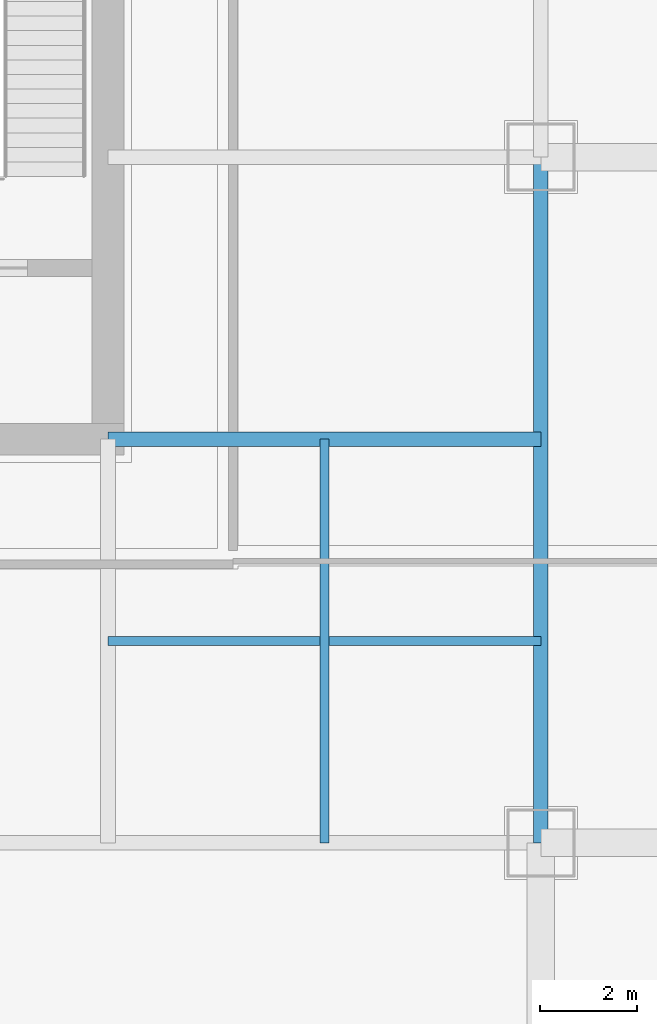
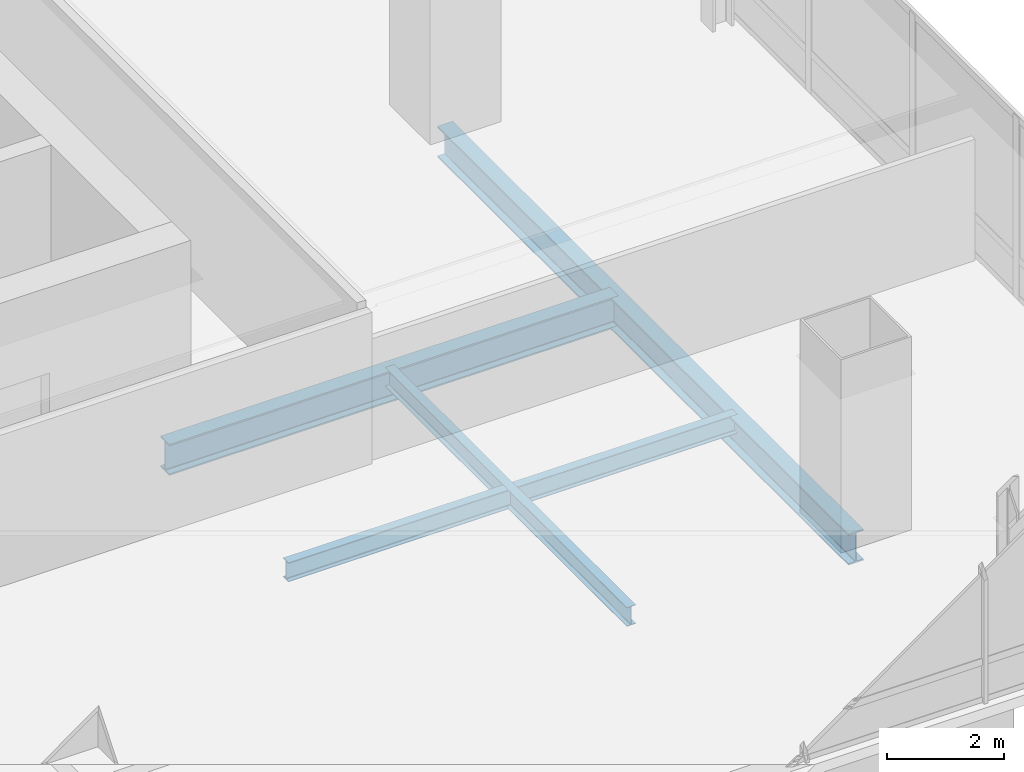
# One storey, part 14 of 36: 4 beams.
"""IFC4 building model written with IfcOpenShell, lengths in metres."""

import ifcopenshell
import ifcopenshell.guid

model = None  # the IFC model being written
_history = None  # IfcOwnerHistory: only IFC2X3 demands one
_inside = {}  # id of a spatial element -> (the spatial element, [elements in it])
_under = {}  # id of a project, library or spatial element -> (it, [spatial elements below it])
_declared = {}  # id of a project -> (the project, [libraries it declares])
_typed = {}  # id of a type object -> (the type object, [elements of that type])
_made_of = {}  # id of a material, layer set ... -> (it, [elements and type objects made of it])


def new_model(schema):
    """Start an empty IFC model of exactly this schema.

    Asked for "IFC4X3", IfcOpenShell would pick the latest addendum, in which some entities
    have other attributes; the version numbers below select the first issue.
    IFC2X3 requires an IfcOwnerHistory on every rooted entity: one is made here for all.
    """
    global model, _history
    if schema == "IFC4X3":
        model = ifcopenshell.file(schema_version=(4, 3, 0, 0))
    else:
        model = ifcopenshell.file(schema=schema)
    _inside.clear()
    _under.clear()
    _declared.clear()
    _typed.clear()
    _made_of.clear()
    _history = None
    if model.schema == "IFC2X3":
        org = make("IfcOrganization", Name="unknown")
        user = make(
            "IfcPersonAndOrganization",
            ThePerson=make("IfcPerson", FamilyName="unknown"),
            TheOrganization=org,
        )
        app = make(
            "IfcApplication",
            ApplicationDeveloper=org,
            Version="unknown",
            ApplicationFullName="unknown",
            ApplicationIdentifier="unknown",
        )
        _history = make(
            "IfcOwnerHistory",
            OwningUser=user,
            OwningApplication=app,
            ChangeAction="ADDED",
            CreationDate=0,
        )
    return model


def make(cls, **values):
    """One entity of the class cls with the attributes given. An attribute that is None is left unset."""
    return model.create_entity(
        cls, **{name: value for name, value in values.items() if value is not None}
    )


def rooted(cls, **values):
    """An entity with a GlobalId (a new one), such as an element, a storey or a relation."""
    return make(cls, GlobalId=ifcopenshell.guid.new(), OwnerHistory=_history, **values)


def si_unit(unit_type, name, prefix=None):
    """IfcSIUnit, for example si_unit("LENGTHUNIT", "METRE", prefix="MILLI")."""
    return make("IfcSIUnit", UnitType=unit_type, Prefix=prefix, Name=name)


def assignment(units):
    """IfcUnitAssignment: the units of a project."""
    return None if units is None else make("IfcUnitAssignment", Units=units)


def point(xyz):
    """IfcCartesianPoint."""
    return None if xyz is None else make("IfcCartesianPoint", Coordinates=xyz)


def direction(xyz):
    """IfcDirection."""
    return None if xyz is None else make("IfcDirection", DirectionRatios=xyz)


def frame(location, z_axis=None, x_axis=None):
    """IfcAxis2Placement3D, a coordinate frame: its origin and axes. An axis left out is left unset."""
    return make(
        "IfcAxis2Placement3D",
        Location=point(location),
        Axis=direction(z_axis),
        RefDirection=direction(x_axis),
    )


def frame_2d(location, x_axis=None):
    """IfcAxis2Placement2D, a coordinate frame in the plane: its origin and x axis."""
    return make(
        "IfcAxis2Placement2D", Location=point(location), RefDirection=direction(x_axis)
    )


def origin():
    """The frame at (0, 0, 0) with its axes left unset."""
    return frame((0.0, 0.0, 0.0))


def origin_2d():
    """The frame at (0, 0) in the plane with its x axis left unset."""
    return frame_2d((0.0, 0.0))


def place(relative_to, where):
    """IfcLocalPlacement: puts the frame where relative to a parent placement (None: the world)."""
    return make(
        "IfcLocalPlacement", PlacementRelTo=relative_to, RelativePlacement=where
    )


def context(
    kind, dimensions, precision=None, world=None, true_north=None, identifier=None
):
    """IfcGeometricRepresentationContext, for example the 3D "Model" context."""
    return make(
        "IfcGeometricRepresentationContext",
        ContextIdentifier=identifier,
        ContextType=kind,
        CoordinateSpaceDimension=dimensions,
        Precision=precision,
        WorldCoordinateSystem=world,
        TrueNorth=true_north,
    )


def subcontext(parent, identifier, kind, view, scale=None):
    """IfcGeometricRepresentationSubContext, for example "Body" below "Model"."""
    return make(
        "IfcGeometricRepresentationSubContext",
        ContextIdentifier=identifier,
        ContextType=kind,
        ParentContext=parent,
        TargetScale=scale,
        TargetView=view,
    )


def project(units=None, contexts=None):
    """IfcProject with its units and contexts."""
    return rooted(
        "IfcProject",
        Name="project",
        RepresentationContexts=contexts,
        UnitsInContext=assignment(units),
    )


def spatial(cls, under=None, at=None, **own):
    """A site, building, storey or space (cls), placed at a placement, below another one or the project."""
    s = rooted(cls, ObjectPlacement=at, **own)
    if under is not None:
        _under.setdefault(under.id(), (under, []))[1].append(s)
    return s


def profile(cls, at=None, kind="AREA", **sizes):
    """A parametric profile (cls). Its sizes go by their IFC names, for example OverallWidth=200.0."""
    return make(cls, ProfileType=kind, Position=at, **sizes)


def i_section(**sizes):
    """IfcIShapeProfileDef."""
    return profile("IfcIShapeProfileDef", **sizes)


def extrude(swept, where, along, depth):
    """IfcExtrudedAreaSolid: the profile swept, set in the frame where, extruded along a direction by depth."""
    return make(
        "IfcExtrudedAreaSolid",
        SweptArea=swept,
        Position=where,
        ExtrudedDirection=direction(along),
        Depth=depth,
    )


def shape(context_of_items, identifier, shape_type, items):
    """IfcShapeRepresentation: the items that make up one representation, for example the "Body"."""
    return make(
        "IfcShapeRepresentation",
        ContextOfItems=context_of_items,
        RepresentationIdentifier=identifier,
        RepresentationType=shape_type,
        Items=items,
    )


def material(Name=None, Category=None):
    """IfcMaterial."""
    return make("IfcMaterial", Name=Name, Category=Category)


def material_profile(
    of_material, cross_section, Name=None, Category=None, Priority=None
):
    """IfcMaterialProfile: a cross section and its material."""
    return make(
        "IfcMaterialProfile",
        Name=Name,
        Material=of_material,
        Profile=cross_section,
        Priority=Priority,
        Category=Category,
    )


def profile_set(profiles, Name=None, composite=None):
    """IfcMaterialProfileSet."""
    return make(
        "IfcMaterialProfileSet",
        Name=Name,
        MaterialProfiles=profiles,
        CompositeProfile=composite,
    )


def made_of(thing, what):
    """Note that an element or type object is made of a material, layer set ...; save() writes the relation."""
    if what is not None:
        _made_of.setdefault(what.id(), (what, []))[1].append(thing)
    return thing


def type_object(cls, material=None, **own):
    """A type object (cls), such as IfcWallType, which elements share."""
    return made_of(rooted(cls, **own), material)


def element(
    cls,
    number,
    at=None,
    inside=None,
    cuts=None,
    type_object=None,
    material=None,
    context=None,
    identifier="Body",
    shape_type=None,
    held_by="IfcProductDefinitionShape",
    body=None,
    shapes=None,
    **own,
):
    """One element of the class cls, such as IfcWall. Its Tag is "e" and its number.

    at: its placement. inside: the storey or other place that contains it. cuts: it is an
    opening in that element (IfcRelVoidsElement). A single representation is given by context,
    identifier, shape_type and body (its items); several are given by shapes. held_by: the class
    of the entity that holds the representations. save() writes the other relations.
    """
    e = rooted(cls, Tag="e%d" % number, ObjectPlacement=at, **own)
    if body is not None:
        shapes = [shape(context, identifier, shape_type, body)]
    if shapes is not None:
        e.Representation = make(held_by, Representations=shapes)
    if inside is not None:
        _inside.setdefault(inside.id(), (inside, []))[1].append(e)
    if cuts is not None:
        rooted(
            "IfcRelVoidsElement", RelatingBuildingElement=cuts, RelatedOpeningElement=e
        )
    if type_object is not None:
        _typed.setdefault(type_object.id(), (type_object, []))[1].append(e)
    return made_of(e, material)


def aggregate(whole, parts):
    """IfcRelAggregates: a whole, such as a stair, and the parts it consists of."""
    return rooted("IfcRelAggregates", RelatingObject=whole, RelatedObjects=parts)


def save(model, path):
    """Write the relations noted so far, then the file.

    IfcRelAggregates (storeys below a building ...), IfcRelContainedInSpatialStructure (elements
    in a storey), IfcRelDefinesByType, IfcRelAssociatesMaterial and IfcRelDeclares: one each for
    every whole, place, type object, material and project.
    """
    for whole, parts in _under.values():
        aggregate(whole, parts)
    for where, things in _inside.values():
        rooted(
            "IfcRelContainedInSpatialStructure",
            RelatedElements=things,
            RelatingStructure=where,
        )
    for kind, things in _typed.values():
        rooted("IfcRelDefinesByType", RelatedObjects=things, RelatingType=kind)
    for what, things in _made_of.values():
        rooted("IfcRelAssociatesMaterial", RelatedObjects=things, RelatingMaterial=what)
    for by, libraries in _declared.values():
        rooted("IfcRelDeclares", RelatingContext=by, RelatedDefinitions=libraries)
    model.write(path)


model = new_model("IFC4")

# Units and contexts
model_context = context("Model", 3, precision=1e-05, world=origin(), true_north=direction((0.0, 1.0)))
body_context = subcontext(model_context, "Body", "Model", "MODEL_VIEW")
ifc_project = project(units=[si_unit("LENGTHUNIT", "METRE"), si_unit("AREAUNIT", "SQUARE_METRE"), si_unit("VOLUMEUNIT", "CUBIC_METRE"), si_unit("PLANEANGLEUNIT", "RADIAN"), si_unit("MASSUNIT", "GRAM", prefix="KILO")], contexts=[model_context])

# Site, building, storey
site_placement = place(None, origin())
site = spatial("IfcSite", under=ifc_project, at=site_placement, CompositionType="ELEMENT")
building_placement = place(site_placement, origin())
building = spatial("IfcBuilding", under=site, at=building_placement, Name="Punatoya Terracotta Tower", CompositionType="ELEMENT")
storey_placement = place(building_placement, frame((0.0, 0.0, 212.699951171875)))
storey = spatial("IfcBuildingStorey", under=building, at=storey_placement, Name="L50", CompositionType="ELEMENT", Elevation=212.699951171875)

# Beams
ifc_material = material(Name="Steel S355", Category="steel")
ifc_material_profile_1 = material_profile(ifc_material, i_section(OverallWidth=0.300048828125, OverallDepth=0.64990234375, WebThickness=0.01611328125, FlangeThickness=0.031005859375, FilletRadius=0.01806640625, at=origin_2d()))
ifc_profile_set_1 = profile_set([ifc_material_profile_1], Name="Steel S355")
beam_type_1 = type_object("IfcBeamType", Name="BM-PRI-650", PredefinedType="BEAM", material=ifc_profile_set_1)
beam_1_placement = place(storey_placement, frame((19.10009765625, -17.5, -0.544921875), z_axis=(0.0, 1.0, 0.0), x_axis=(-1.0, 0.0, 0.0)))
element("IfcBeam", 1, at=beam_1_placement, inside=storey, type_object=beam_type_1, Name="BM-L50-RG-E1", PredefinedType="BEAM", context=body_context, shape_type="SweptSolid", body=[
    extrude(i_section(OverallWidth=0.300048828125, OverallDepth=0.64990234375, WebThickness=0.01611328125, FlangeThickness=0.031005859375, FilletRadius=0.01806640625, at=origin_2d()), origin(), (0.0, 0.0, 1.0), 14.10009765625),
])
beam_2_placement = place(storey_placement, frame((10.199951171875, -9.199951171875, -0.544921875), z_axis=(1.0, 0.0, 0.0), x_axis=(0.0, 1.0, 0.0)))
element("IfcBeam", 2, at=beam_2_placement, inside=storey, type_object=beam_type_1, Name="BM-L50-PR-ES", PredefinedType="BEAM", context=body_context, shape_type="SweptSolid", body=[
    extrude(i_section(OverallWidth=0.300048828125, OverallDepth=0.64990234375, WebThickness=0.01611328125, FlangeThickness=0.031005859375, FilletRadius=0.01806640625, at=origin_2d()), origin(), (0.0, 0.0, 1.0), 8.900146484375),
])
ifc_material_profile_2 = material_profile(ifc_material, i_section(OverallWidth=0.179931640625, OverallDepth=0.39990234375, WebThickness=0.008544921875, FlangeThickness=0.013427734375, FilletRadius=0.01806640625, at=origin_2d()))
ifc_profile_set_2 = profile_set([ifc_material_profile_2], Name="Steel S355")
beam_type_2 = type_object("IfcBeamType", Name="BM-SEC-400", PredefinedType="JOIST", material=ifc_profile_set_2)
beam_3_placement = place(storey_placement, frame((10.199951171875, -13.35009765625, -0.419921875), z_axis=(1.0, 0.0, 0.0), x_axis=(0.0, 1.0, 0.0)))
element("IfcBeam", 3, at=beam_3_placement, inside=storey, type_object=beam_type_2, Name="BM-L50-SJS-2", PredefinedType="JOIST", context=body_context, shape_type="SweptSolid", body=[
    extrude(i_section(OverallWidth=0.179931640625, OverallDepth=0.39990234375, WebThickness=0.008544921875, FlangeThickness=0.013427734375, FilletRadius=0.01806640625, at=origin_2d()), origin(), (0.0, 0.0, 1.0), 8.900146484375),
])
beam_4_placement = place(storey_placement, frame((14.64990234375, -17.5, -0.419921875), z_axis=(0.0, 1.0, 0.0), x_axis=(-1.0, 0.0, 0.0)))
element("IfcBeam", 4, at=beam_4_placement, inside=storey, type_object=beam_type_2, Name="BM-L50-SJE-1", PredefinedType="JOIST", context=body_context, shape_type="SweptSolid", body=[
    extrude(i_section(OverallWidth=0.179931640625, OverallDepth=0.39990234375, WebThickness=0.008544921875, FlangeThickness=0.013427734375, FilletRadius=0.01806640625, at=origin_2d()), origin(), (0.0, 0.0, 1.0), 8.300048828125),
])

save(model, "model.ifc")
